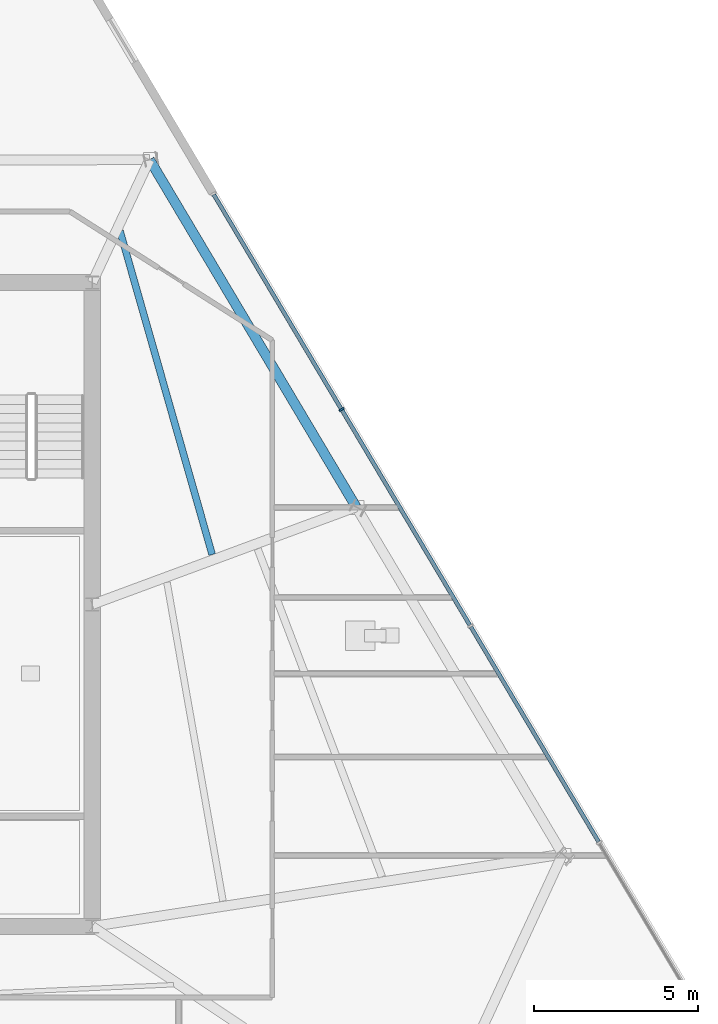
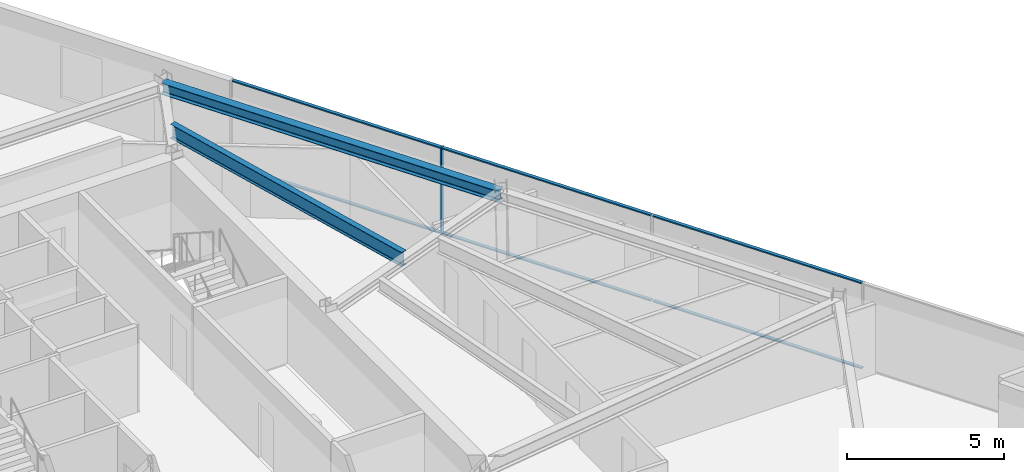
# One storey, part 6 of 16: 7 members, 2 beams, 1 element without a shape of its own.
"""IFC4 building model written with IfcOpenShell, lengths in metres."""

import ifcopenshell
import ifcopenshell.guid

model = None  # the IFC model being written
_history = None  # IfcOwnerHistory: only IFC2X3 demands one
_inside = {}  # id of a spatial element -> (the spatial element, [elements in it])
_under = {}  # id of a project, library or spatial element -> (it, [spatial elements below it])
_declared = {}  # id of a project -> (the project, [libraries it declares])
_typed = {}  # id of a type object -> (the type object, [elements of that type])
_made_of = {}  # id of a material, layer set ... -> (it, [elements and type objects made of it])


def new_model(schema):
    """Start an empty IFC model of exactly this schema.

    Asked for "IFC4X3", IfcOpenShell would pick the latest addendum, in which some entities
    have other attributes; the version numbers below select the first issue.
    IFC2X3 requires an IfcOwnerHistory on every rooted entity: one is made here for all.
    """
    global model, _history
    if schema == "IFC4X3":
        model = ifcopenshell.file(schema_version=(4, 3, 0, 0))
    else:
        model = ifcopenshell.file(schema=schema)
    _inside.clear()
    _under.clear()
    _declared.clear()
    _typed.clear()
    _made_of.clear()
    _history = None
    if model.schema == "IFC2X3":
        org = make("IfcOrganization", Name="unknown")
        user = make(
            "IfcPersonAndOrganization",
            ThePerson=make("IfcPerson", FamilyName="unknown"),
            TheOrganization=org,
        )
        app = make(
            "IfcApplication",
            ApplicationDeveloper=org,
            Version="unknown",
            ApplicationFullName="unknown",
            ApplicationIdentifier="unknown",
        )
        _history = make(
            "IfcOwnerHistory",
            OwningUser=user,
            OwningApplication=app,
            ChangeAction="ADDED",
            CreationDate=0,
        )
    return model


def make(cls, **values):
    """One entity of the class cls with the attributes given. An attribute that is None is left unset."""
    return model.create_entity(
        cls, **{name: value for name, value in values.items() if value is not None}
    )


def rooted(cls, **values):
    """An entity with a GlobalId (a new one), such as an element, a storey or a relation."""
    return make(cls, GlobalId=ifcopenshell.guid.new(), OwnerHistory=_history, **values)


def si_unit(unit_type, name, prefix=None):
    """IfcSIUnit, for example si_unit("LENGTHUNIT", "METRE", prefix="MILLI")."""
    return make("IfcSIUnit", UnitType=unit_type, Prefix=prefix, Name=name)


def assignment(units):
    """IfcUnitAssignment: the units of a project."""
    return None if units is None else make("IfcUnitAssignment", Units=units)


def point(xyz):
    """IfcCartesianPoint."""
    return None if xyz is None else make("IfcCartesianPoint", Coordinates=xyz)


def direction(xyz):
    """IfcDirection."""
    return None if xyz is None else make("IfcDirection", DirectionRatios=xyz)


def frame(location, z_axis=None, x_axis=None):
    """IfcAxis2Placement3D, a coordinate frame: its origin and axes. An axis left out is left unset."""
    return make(
        "IfcAxis2Placement3D",
        Location=point(location),
        Axis=direction(z_axis),
        RefDirection=direction(x_axis),
    )


def frame_2d(location, x_axis=None):
    """IfcAxis2Placement2D, a coordinate frame in the plane: its origin and x axis."""
    return make(
        "IfcAxis2Placement2D", Location=point(location), RefDirection=direction(x_axis)
    )


def origin():
    """The frame at (0, 0, 0) with its axes left unset."""
    return frame((0.0, 0.0, 0.0))


def origin_2d():
    """The frame at (0, 0) in the plane with its x axis left unset."""
    return frame_2d((0.0, 0.0))


def place(relative_to, where):
    """IfcLocalPlacement: puts the frame where relative to a parent placement (None: the world)."""
    return make(
        "IfcLocalPlacement", PlacementRelTo=relative_to, RelativePlacement=where
    )


def context(
    kind, dimensions, precision=None, world=None, true_north=None, identifier=None
):
    """IfcGeometricRepresentationContext, for example the 3D "Model" context."""
    return make(
        "IfcGeometricRepresentationContext",
        ContextIdentifier=identifier,
        ContextType=kind,
        CoordinateSpaceDimension=dimensions,
        Precision=precision,
        WorldCoordinateSystem=world,
        TrueNorth=true_north,
    )


def subcontext(parent, identifier, kind, view, scale=None):
    """IfcGeometricRepresentationSubContext, for example "Body" below "Model"."""
    return make(
        "IfcGeometricRepresentationSubContext",
        ContextIdentifier=identifier,
        ContextType=kind,
        ParentContext=parent,
        TargetScale=scale,
        TargetView=view,
    )


def project(units=None, contexts=None):
    """IfcProject with its units and contexts."""
    return rooted(
        "IfcProject",
        Name="project",
        RepresentationContexts=contexts,
        UnitsInContext=assignment(units),
    )


def spatial(cls, under=None, at=None, **own):
    """A site, building, storey or space (cls), placed at a placement, below another one or the project."""
    s = rooted(cls, ObjectPlacement=at, **own)
    if under is not None:
        _under.setdefault(under.id(), (under, []))[1].append(s)
    return s


def profile(cls, at=None, kind="AREA", **sizes):
    """A parametric profile (cls). Its sizes go by their IFC names, for example OverallWidth=200.0."""
    return make(cls, ProfileType=kind, Position=at, **sizes)


def rectangle(**sizes):
    """IfcRectangleProfileDef."""
    return profile("IfcRectangleProfileDef", **sizes)


def i_section(**sizes):
    """IfcIShapeProfileDef."""
    return profile("IfcIShapeProfileDef", **sizes)


def extrude(swept, where, along, depth):
    """IfcExtrudedAreaSolid: the profile swept, set in the frame where, extruded along a direction by depth."""
    return make(
        "IfcExtrudedAreaSolid",
        SweptArea=swept,
        Position=where,
        ExtrudedDirection=direction(along),
        Depth=depth,
    )


def shape(context_of_items, identifier, shape_type, items):
    """IfcShapeRepresentation: the items that make up one representation, for example the "Body"."""
    return make(
        "IfcShapeRepresentation",
        ContextOfItems=context_of_items,
        RepresentationIdentifier=identifier,
        RepresentationType=shape_type,
        Items=items,
    )


def material(Name=None, Category=None):
    """IfcMaterial."""
    return make("IfcMaterial", Name=Name, Category=Category)


def material_profile(
    of_material, cross_section, Name=None, Category=None, Priority=None
):
    """IfcMaterialProfile: a cross section and its material."""
    return make(
        "IfcMaterialProfile",
        Name=Name,
        Material=of_material,
        Profile=cross_section,
        Priority=Priority,
        Category=Category,
    )


def profile_set(profiles, Name=None, composite=None):
    """IfcMaterialProfileSet."""
    return make(
        "IfcMaterialProfileSet",
        Name=Name,
        MaterialProfiles=profiles,
        CompositeProfile=composite,
    )


def made_of(thing, what):
    """Note that an element or type object is made of a material, layer set ...; save() writes the relation."""
    if what is not None:
        _made_of.setdefault(what.id(), (what, []))[1].append(thing)
    return thing


def type_object(cls, material=None, **own):
    """A type object (cls), such as IfcWallType, which elements share."""
    return made_of(rooted(cls, **own), material)


def element(
    cls,
    number,
    at=None,
    inside=None,
    cuts=None,
    type_object=None,
    material=None,
    context=None,
    identifier="Body",
    shape_type=None,
    held_by="IfcProductDefinitionShape",
    body=None,
    shapes=None,
    **own,
):
    """One element of the class cls, such as IfcWall. Its Tag is "e" and its number.

    at: its placement. inside: the storey or other place that contains it. cuts: it is an
    opening in that element (IfcRelVoidsElement). A single representation is given by context,
    identifier, shape_type and body (its items); several are given by shapes. held_by: the class
    of the entity that holds the representations. save() writes the other relations.
    """
    e = rooted(cls, Tag="e%d" % number, ObjectPlacement=at, **own)
    if body is not None:
        shapes = [shape(context, identifier, shape_type, body)]
    if shapes is not None:
        e.Representation = make(held_by, Representations=shapes)
    if inside is not None:
        _inside.setdefault(inside.id(), (inside, []))[1].append(e)
    if cuts is not None:
        rooted(
            "IfcRelVoidsElement", RelatingBuildingElement=cuts, RelatedOpeningElement=e
        )
    if type_object is not None:
        _typed.setdefault(type_object.id(), (type_object, []))[1].append(e)
    return made_of(e, material)


def aggregate(whole, parts):
    """IfcRelAggregates: a whole, such as a stair, and the parts it consists of."""
    return rooted("IfcRelAggregates", RelatingObject=whole, RelatedObjects=parts)


def save(model, path):
    """Write the relations noted so far, then the file.

    IfcRelAggregates (storeys below a building ...), IfcRelContainedInSpatialStructure (elements
    in a storey), IfcRelDefinesByType, IfcRelAssociatesMaterial and IfcRelDeclares: one each for
    every whole, place, type object, material and project.
    """
    for whole, parts in _under.values():
        aggregate(whole, parts)
    for where, things in _inside.values():
        rooted(
            "IfcRelContainedInSpatialStructure",
            RelatedElements=things,
            RelatingStructure=where,
        )
    for kind, things in _typed.values():
        rooted("IfcRelDefinesByType", RelatedObjects=things, RelatingType=kind)
    for what, things in _made_of.values():
        rooted("IfcRelAssociatesMaterial", RelatedObjects=things, RelatingMaterial=what)
    for by, libraries in _declared.values():
        rooted("IfcRelDeclares", RelatingContext=by, RelatedDefinitions=libraries)
    model.write(path)


model = new_model("IFC4")

# Units and contexts
model_context = context("Model", 3, precision=1e-05, world=origin(), true_north=direction((0.0, 1.0)))
body_context = subcontext(model_context, "Body", "Model", "MODEL_VIEW")
ifc_project = project(units=[si_unit("LENGTHUNIT", "METRE"), si_unit("AREAUNIT", "SQUARE_METRE"), si_unit("VOLUMEUNIT", "CUBIC_METRE"), si_unit("PLANEANGLEUNIT", "RADIAN"), si_unit("MASSUNIT", "GRAM", prefix="KILO")], contexts=[model_context])

# Site, building, storey
site_placement = place(None, origin())
site = spatial("IfcSite", under=ifc_project, at=site_placement, CompositionType="ELEMENT")
building_placement = place(site_placement, origin())
building = spatial("IfcBuilding", under=site, at=building_placement, Name="Savorim Split Tower", CompositionType="ELEMENT")
storey_placement = place(building_placement, frame((0.0, 0.0, 149.39990234375)))
storey = spatial("IfcBuildingStorey", under=building, at=storey_placement, Name="L39", CompositionType="ELEMENT", Elevation=149.39990234375)

# Beams
ifc_material_1 = material(Name="Steel S355", Category="steel")
ifc_material_profile_1 = material_profile(ifc_material_1, i_section(OverallWidth=0.2099609375, OverallDepth=0.550048828125, WebThickness=0.010986328125, FlangeThickness=0.01708984375, FilletRadius=0.02392578125, at=origin_2d()), Name="IPE 550")
ifc_profile_set_1 = profile_set([ifc_material_profile_1], Name="Steel S355")
beam_type_1 = type_object("IfcBeamType", Name="BM-JST-IPE550", PredefinedType="JOIST", material=ifc_profile_set_1)
beam_1_placement = place(storey_placement, frame((11.351318359375, 1.92041015625, 3.0751953125), z_axis=(-0.273832752671, 0.961777325354, 0.0), x_axis=(-0.961777325354, -0.273832752671, 0.0)))
element("IfcBeam", 1, at=beam_1_placement, inside=storey, type_object=beam_type_1, Name="L39 Secondary Floor Joist JS-07", PredefinedType="JOIST", context=body_context, shape_type="SweptSolid", body=[
    extrude(i_section(OverallWidth=0.2099609375, OverallDepth=0.550048828125, WebThickness=0.010986328125, FlangeThickness=0.01708984375, FilletRadius=0.02392578125, at=origin_2d()), origin(), (0.0, 0.0, 1.0), 10.237060546875),
])
ifc_material_profile_2 = material_profile(ifc_material_1, i_section(OverallWidth=0.300048828125, OverallDepth=0.43994140625, WebThickness=0.011474609375, FlangeThickness=0.02099609375, FilletRadius=0.027099609375, at=origin_2d()), Name="HEA 450")
ifc_profile_set_2 = profile_set([ifc_material_profile_2], Name="Steel S355")
beam_type_2 = type_object("IfcBeamType", Name="BM-SPN-HEA450", PredefinedType="SPANDREL", material=ifc_profile_set_2)
beam_2_placement = place(storey_placement, frame((15.732666015625, 3.37060546875, 3.130126953125), z_axis=(-0.511092837742, 0.859525515159, 0.0), x_axis=(-0.859525515159, -0.511092837742, 0.0)))
element("IfcBeam", 2, at=beam_2_placement, inside=storey, type_object=beam_type_2, Name="L39 Perimeter Spandrel Beam 6", PredefinedType="SPANDREL", context=body_context, shape_type="SweptSolid", body=[
    extrude(i_section(OverallWidth=0.300048828125, OverallDepth=0.43994140625, WebThickness=0.011474609375, FlangeThickness=0.02099609375, FilletRadius=0.027099609375, at=origin_2d()), origin(), (0.0, 0.0, 1.0), 12.295654296875),
])

# Curtain wall, members
ifc_material_2 = material(Name="Dark Ceramic-Fritted Insulated Glass", Category="glass")
curtain_wall_type = type_object("IfcCurtainWallType", Name="CW-TWR-FRIT-B", PredefinedType="NOTDEFINED", material=ifc_material_2)
curtain_wall_placement = place(storey_placement, origin())
curtain_wall = element("IfcCurtainWall", 3, at=curtain_wall_placement, inside=storey, type_object=curtain_wall_type, Name="L39 Curtain Wall CW-L39-EAST", PredefinedType="NOTDEFINED")
ifc_material_3 = material(Name="Charcoal Anodised Aluminium", Category="aluminium")
ifc_material_profile_3 = material_profile(ifc_material_3, rectangle(XDim=0.159912109375, YDim=0.06005859375, at=origin_2d()), Name="ALU-M 160x60")
ifc_profile_set_3 = profile_set([ifc_material_profile_3], Name="Charcoal Anodised Aluminium")
member_type_1 = type_object("IfcMemberType", Name="CWM-160x60", PredefinedType="MULLION", material=ifc_profile_set_3)
member_1_placement = place(storey_placement, frame((15.2900390625, 6.334228515625, 0.0), z_axis=(0.0, 0.0, 1.0), x_axis=(-0.859526328423, -0.511091470039, 0.0)))
member_1 = element("IfcMember", 4, at=member_1_placement, type_object=member_type_1, Name="CW-03 mullion 4", PredefinedType="MULLION", context=body_context, shape_type="SweptSolid", body=[
    extrude(rectangle(XDim=0.159912109375, YDim=0.06005859375, at=origin_2d()), origin(), (0.0, 0.0, 1.0), 3.35009765625),
])
ifc_material_profile_4 = material_profile(ifc_material_3, rectangle(XDim=0.1201171875, YDim=0.050048828125, at=origin_2d()), Name="ALU-T 120x50")
ifc_profile_set_4 = profile_set([ifc_material_profile_4], Name="Charcoal Anodised Aluminium")
member_type_2 = type_object("IfcMemberType", Name="CWT-120x50", PredefinedType="USERDEFINED", material=ifc_profile_set_4)
member_2_placement = place(storey_placement, frame((23.114013671875, -6.82373046875, 0.025146484375), z_axis=(-0.511085002819, 0.859530173929, 0.0), x_axis=(-0.859530173929, -0.511085002819, 0.0)))
member_2 = element("IfcMember", 5, at=member_2_placement, type_object=member_type_2, Name="CW-03 transom 2.1", ObjectType="TRANSOM", PredefinedType="USERDEFINED", context=body_context, shape_type="SweptSolid", body=[
    extrude(rectangle(XDim=0.1201171875, YDim=0.050048828125, at=origin_2d()), origin(), (0.0, 0.0, 1.0), 7.609130859375),
])
member_3_placement = place(storey_placement, frame((23.114013671875, -6.82373046875, 3.3251953125), z_axis=(-0.511085002819, 0.859530173929, 0.0), x_axis=(-0.859530173929, -0.511085002819, 0.0)))
member_3 = element("IfcMember", 6, at=member_3_placement, type_object=member_type_2, Name="CW-03 transom 2.2", ObjectType="TRANSOM", PredefinedType="USERDEFINED", context=body_context, shape_type="SweptSolid", body=[
    extrude(rectangle(XDim=0.1201171875, YDim=0.050048828125, at=origin_2d()), origin(), (0.0, 0.0, 1.0), 7.609130859375),
])
member_4_placement = place(storey_placement, frame((19.1943359375, -0.23193359375, 0.025146484375), z_axis=(-0.51107090834, 0.859538554487, 0.0), x_axis=(-0.859538554487, -0.51107090834, 0.0)))
member_4 = element("IfcMember", 7, at=member_4_placement, type_object=member_type_2, Name="CW-03 transom 3.1", ObjectType="TRANSOM", PredefinedType="USERDEFINED", context=body_context, shape_type="SweptSolid", body=[
    extrude(rectangle(XDim=0.1201171875, YDim=0.050048828125, at=origin_2d()), origin(), (0.0, 0.0, 1.0), 7.609375),
])
member_5_placement = place(storey_placement, frame((19.1943359375, -0.23193359375, 3.3251953125), z_axis=(-0.51107090834, 0.859538554487, 0.0), x_axis=(-0.859538554487, -0.51107090834, 0.0)))
member_5 = element("IfcMember", 8, at=member_5_placement, type_object=member_type_2, Name="CW-03 transom 3.2", ObjectType="TRANSOM", PredefinedType="USERDEFINED", context=body_context, shape_type="SweptSolid", body=[
    extrude(rectangle(XDim=0.1201171875, YDim=0.050048828125, at=origin_2d()), origin(), (0.0, 0.0, 1.0), 7.609375),
])
member_6_placement = place(storey_placement, frame((15.274658203125, 6.360107421875, 0.025146484375), z_axis=(-0.511085684195, 0.859529768775, 0.0), x_axis=(-0.859529768775, -0.511085684195, 0.0)))
member_6 = element("IfcMember", 9, at=member_6_placement, type_object=member_type_2, Name="CW-03 transom 4.1", ObjectType="TRANSOM", PredefinedType="USERDEFINED", context=body_context, shape_type="SweptSolid", body=[
    extrude(rectangle(XDim=0.1201171875, YDim=0.050048828125, at=origin_2d()), origin(), (0.0, 0.0, 1.0), 7.5791015625),
])
member_7_placement = place(storey_placement, frame((15.274658203125, 6.360107421875, 3.3251953125), z_axis=(-0.511085684195, 0.859529768775, 0.0), x_axis=(-0.859529768775, -0.511085684195, 0.0)))
member_7 = element("IfcMember", 10, at=member_7_placement, type_object=member_type_2, Name="CW-03 transom 4.2", ObjectType="TRANSOM", PredefinedType="USERDEFINED", context=body_context, shape_type="SweptSolid", body=[
    extrude(rectangle(XDim=0.1201171875, YDim=0.050048828125, at=origin_2d()), origin(), (0.0, 0.0, 1.0), 7.5791015625),
])
aggregate(curtain_wall, [member_1, member_2, member_3, member_4, member_5, member_6, member_7])

save(model, "model.ifc")
